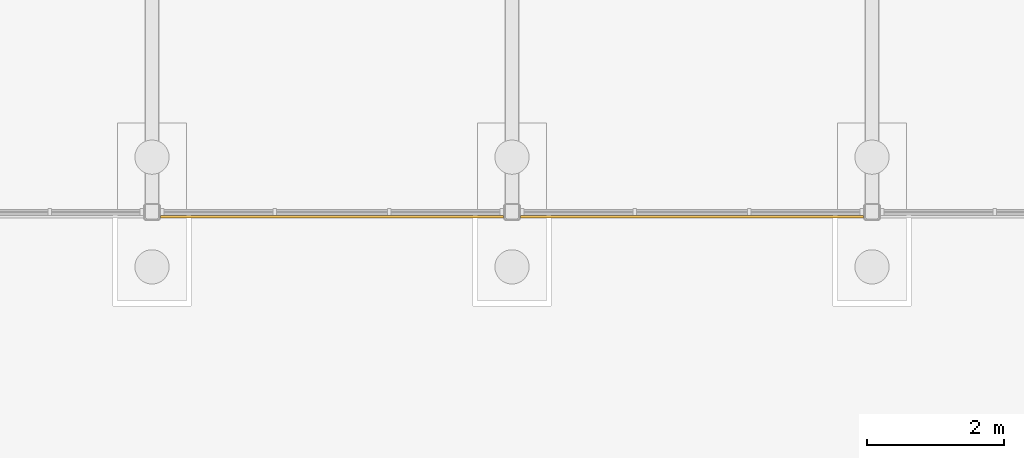
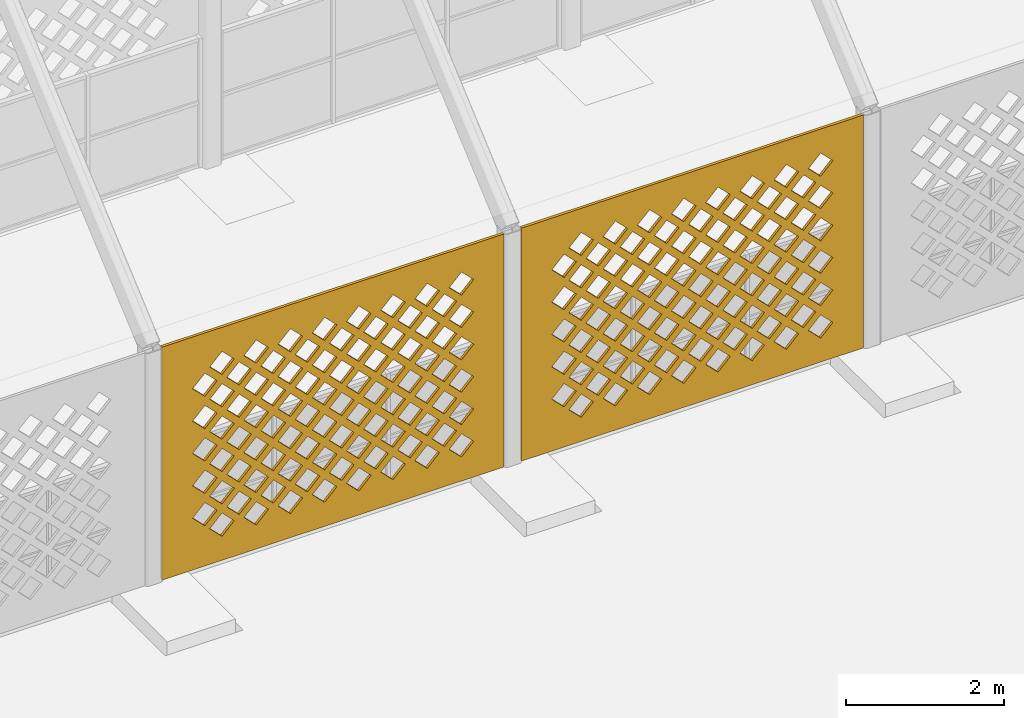
# One storey, part 60 of 79: 2 coverings.
"""IFC4 building model written with IfcOpenShell, lengths in metres."""

from ifc_helpers import new_model, si_unit, direction, frame, origin, place, context, subcontext, project, spatial, polyline, outline, extrude, material, layer, layer_set, type_object, element, save


model = new_model("IFC4")

# Units and contexts
model_context = context("Model", 3, precision=1e-05, world=origin(), true_north=direction((0.0, 1.0)))
body_context = subcontext(model_context, "Body", "Model", "MODEL_VIEW")
ifc_project = project(units=[si_unit("LENGTHUNIT", "METRE"), si_unit("AREAUNIT", "SQUARE_METRE"), si_unit("VOLUMEUNIT", "CUBIC_METRE"), si_unit("PLANEANGLEUNIT", "RADIAN"), si_unit("MASSUNIT", "GRAM", prefix="KILO")], contexts=[model_context])

# Site, building, storey
site_placement = place(None, origin())
site = spatial("IfcSite", under=ifc_project, at=site_placement, CompositionType="ELEMENT")
building_placement = place(site_placement, origin())
building = spatial("IfcBuilding", under=site, at=building_placement, Name="Noorbagh Ring Tower", CompositionType="ELEMENT")
storey_placement = place(building_placement, origin())
storey = spatial("IfcBuildingStorey", under=building, at=storey_placement, Name="L00", CompositionType="ELEMENT", Elevation=0.0)

# Coverings
ifc_material = material(Name="Red sandstone jali", Category="masonry")
ifc_layer = layer(ifc_material, 0.0400390625)
ifc_layer_set = layer_set([ifc_layer], Name="Red sandstone jali")
covering_type = type_object("IfcCoveringType", Name="AR-JALI", PredefinedType="USERDEFINED", material=ifc_layer_set)
covering_1_placement = place(storey_placement, frame((-89.125, 1.110107421875, 0.0), z_axis=(0.0, -1.0, 0.0), x_axis=(1.0, 0.0, 0.0)))
element("IfcCovering", 1, at=covering_1_placement, inside=storey, type_object=covering_type, Name="Jali screen", ObjectType="SCREEN", PredefinedType="USERDEFINED", context=body_context, shape_type="SweptSolid", body=[
    extrude(outline(polyline([(0.0, 0.0), (5.0, 0.0), (5.0, 3.60009765625), (0.0, 3.60009765625), (0.0, 0.0)]), holes=[polyline([(0.695068359375, 0.550048828125), (0.875, 0.3701171875), (1.054931640625, 0.550048828125), (0.875, 0.72998046875), (0.695068359375, 0.550048828125)]), polyline([(1.195068359375, 0.550048828125), (1.375, 0.3701171875), (1.554931640625, 0.550048828125), (1.375, 0.72998046875), (1.195068359375, 0.550048828125)]), polyline([(1.695068359375, 0.550048828125), (1.875, 0.3701171875), (2.054931640625, 0.550048828125), (1.875, 0.72998046875), (1.695068359375, 0.550048828125)]), polyline([(2.195068359375, 0.550048828125), (2.375, 0.3701171875), (2.554931640625, 0.550048828125), (2.375, 0.72998046875), (2.195068359375, 0.550048828125)]), polyline([(2.695068359375, 0.550048828125), (2.875, 0.3701171875), (3.054931640625, 0.550048828125), (2.875, 0.72998046875), (2.695068359375, 0.550048828125)]), polyline([(3.195068359375, 0.550048828125), (3.375, 0.3701171875), (3.554931640625, 0.550048828125), (3.375, 0.72998046875), (3.195068359375, 0.550048828125)]), polyline([(3.695068359375, 0.550048828125), (3.875, 0.3701171875), (4.054931640625, 0.550048828125), (3.875, 0.72998046875), (3.695068359375, 0.550048828125)]), polyline([(4.195068359375, 0.550048828125), (4.375, 0.3701171875), (4.554931640625, 0.550048828125), (4.375, 0.72998046875), (4.195068359375, 0.550048828125)]), polyline([(0.445068359375, 0.800048828125), (0.625, 0.6201171875), (0.804931640625, 0.800048828125), (0.625, 0.97998046875), (0.445068359375, 0.800048828125)]), polyline([(0.945068359375, 0.800048828125), (1.125, 0.6201171875), (1.304931640625, 0.800048828125), (1.125, 0.97998046875), (0.945068359375, 0.800048828125)]), polyline([(1.445068359375, 0.800048828125), (1.625, 0.6201171875), (1.804931640625, 0.800048828125), (1.625, 0.97998046875), (1.445068359375, 0.800048828125)]), polyline([(1.945068359375, 0.800048828125), (2.125, 0.6201171875), (2.304931640625, 0.800048828125), (2.125, 0.97998046875), (1.945068359375, 0.800048828125)]), polyline([(2.445068359375, 0.800048828125), (2.625, 0.6201171875), (2.804931640625, 0.800048828125), (2.625, 0.97998046875), (2.445068359375, 0.800048828125)]), polyline([(2.945068359375, 0.800048828125), (3.125, 0.6201171875), (3.304931640625, 0.800048828125), (3.125, 0.97998046875), (2.945068359375, 0.800048828125)]), polyline([(3.445068359375, 0.800048828125), (3.625, 0.6201171875), (3.804931640625, 0.800048828125), (3.625, 0.97998046875), (3.445068359375, 0.800048828125)]), polyline([(3.945068359375, 0.800048828125), (4.125, 0.6201171875), (4.304931640625, 0.800048828125), (4.125, 0.97998046875), (3.945068359375, 0.800048828125)]), polyline([(0.695068359375, 1.050048828125), (0.875, 0.8701171875), (1.054931640625, 1.050048828125), (0.875, 1.22998046875), (0.695068359375, 1.050048828125)]), polyline([(1.195068359375, 1.050048828125), (1.375, 0.8701171875), (1.554931640625, 1.050048828125), (1.375, 1.22998046875), (1.195068359375, 1.050048828125)]), polyline([(1.695068359375, 1.050048828125), (1.875, 0.8701171875), (2.054931640625, 1.050048828125), (1.875, 1.22998046875), (1.695068359375, 1.050048828125)]), polyline([(2.195068359375, 1.050048828125), (2.375, 0.8701171875), (2.554931640625, 1.050048828125), (2.375, 1.22998046875), (2.195068359375, 1.050048828125)]), polyline([(2.695068359375, 1.050048828125), (2.875, 0.8701171875), (3.054931640625, 1.050048828125), (2.875, 1.22998046875), (2.695068359375, 1.050048828125)]), polyline([(3.195068359375, 1.050048828125), (3.375, 0.8701171875), (3.554931640625, 1.050048828125), (3.375, 1.22998046875), (3.195068359375, 1.050048828125)]), polyline([(3.695068359375, 1.050048828125), (3.875, 0.8701171875), (4.054931640625, 1.050048828125), (3.875, 1.22998046875), (3.695068359375, 1.050048828125)]), polyline([(4.195068359375, 1.050048828125), (4.375, 0.8701171875), (4.554931640625, 1.050048828125), (4.375, 1.22998046875), (4.195068359375, 1.050048828125)]), polyline([(0.445068359375, 1.300048828125), (0.625, 1.1201171875), (0.804931640625, 1.300048828125), (0.625, 1.47998046875), (0.445068359375, 1.300048828125)]), polyline([(0.945068359375, 1.300048828125), (1.125, 1.1201171875), (1.304931640625, 1.300048828125), (1.125, 1.47998046875), (0.945068359375, 1.300048828125)]), polyline([(1.445068359375, 1.300048828125), (1.625, 1.1201171875), (1.804931640625, 1.300048828125), (1.625, 1.47998046875), (1.445068359375, 1.300048828125)]), polyline([(1.945068359375, 1.300048828125), (2.125, 1.1201171875), (2.304931640625, 1.300048828125), (2.125, 1.47998046875), (1.945068359375, 1.300048828125)]), polyline([(2.445068359375, 1.300048828125), (2.625, 1.1201171875), (2.804931640625, 1.300048828125), (2.625, 1.47998046875), (2.445068359375, 1.300048828125)]), polyline([(2.945068359375, 1.300048828125), (3.125, 1.1201171875), (3.304931640625, 1.300048828125), (3.125, 1.47998046875), (2.945068359375, 1.300048828125)]), polyline([(3.445068359375, 1.300048828125), (3.625, 1.1201171875), (3.804931640625, 1.300048828125), (3.625, 1.47998046875), (3.445068359375, 1.300048828125)]), polyline([(3.945068359375, 1.300048828125), (4.125, 1.1201171875), (4.304931640625, 1.300048828125), (4.125, 1.47998046875), (3.945068359375, 1.300048828125)]), polyline([(0.695068359375, 1.550048828125), (0.875, 1.3701171875), (1.054931640625, 1.550048828125), (0.875, 1.72998046875), (0.695068359375, 1.550048828125)]), polyline([(1.195068359375, 1.550048828125), (1.375, 1.3701171875), (1.554931640625, 1.550048828125), (1.375, 1.72998046875), (1.195068359375, 1.550048828125)]), polyline([(1.695068359375, 1.550048828125), (1.875, 1.3701171875), (2.054931640625, 1.550048828125), (1.875, 1.72998046875), (1.695068359375, 1.550048828125)]), polyline([(2.195068359375, 1.550048828125), (2.375, 1.3701171875), (2.554931640625, 1.550048828125), (2.375, 1.72998046875), (2.195068359375, 1.550048828125)]), polyline([(2.695068359375, 1.550048828125), (2.875, 1.3701171875), (3.054931640625, 1.550048828125), (2.875, 1.72998046875), (2.695068359375, 1.550048828125)]), polyline([(3.195068359375, 1.550048828125), (3.375, 1.3701171875), (3.554931640625, 1.550048828125), (3.375, 1.72998046875), (3.195068359375, 1.550048828125)]), polyline([(3.695068359375, 1.550048828125), (3.875, 1.3701171875), (4.054931640625, 1.550048828125), (3.875, 1.72998046875), (3.695068359375, 1.550048828125)]), polyline([(4.195068359375, 1.550048828125), (4.375, 1.3701171875), (4.554931640625, 1.550048828125), (4.375, 1.72998046875), (4.195068359375, 1.550048828125)]), polyline([(0.445068359375, 1.800048828125), (0.625, 1.6201171875), (0.804931640625, 1.800048828125), (0.625, 1.97998046875), (0.445068359375, 1.800048828125)]), polyline([(0.945068359375, 1.800048828125), (1.125, 1.6201171875), (1.304931640625, 1.800048828125), (1.125, 1.97998046875), (0.945068359375, 1.800048828125)]), polyline([(1.445068359375, 1.800048828125), (1.625, 1.6201171875), (1.804931640625, 1.800048828125), (1.625, 1.97998046875), (1.445068359375, 1.800048828125)]), polyline([(1.945068359375, 1.800048828125), (2.125, 1.6201171875), (2.304931640625, 1.800048828125), (2.125, 1.97998046875), (1.945068359375, 1.800048828125)]), polyline([(2.445068359375, 1.800048828125), (2.625, 1.6201171875), (2.804931640625, 1.800048828125), (2.625, 1.97998046875), (2.445068359375, 1.800048828125)]), polyline([(2.945068359375, 1.800048828125), (3.125, 1.6201171875), (3.304931640625, 1.800048828125), (3.125, 1.97998046875), (2.945068359375, 1.800048828125)]), polyline([(3.445068359375, 1.800048828125), (3.625, 1.6201171875), (3.804931640625, 1.800048828125), (3.625, 1.97998046875), (3.445068359375, 1.800048828125)]), polyline([(3.945068359375, 1.800048828125), (4.125, 1.6201171875), (4.304931640625, 1.800048828125), (4.125, 1.97998046875), (3.945068359375, 1.800048828125)]), polyline([(0.695068359375, 2.050048828125), (0.875, 1.8701171875), (1.054931640625, 2.050048828125), (0.875, 2.22998046875), (0.695068359375, 2.050048828125)]), polyline([(1.195068359375, 2.050048828125), (1.375, 1.8701171875), (1.554931640625, 2.050048828125), (1.375, 2.22998046875), (1.195068359375, 2.050048828125)]), polyline([(1.695068359375, 2.050048828125), (1.875, 1.8701171875), (2.054931640625, 2.050048828125), (1.875, 2.22998046875), (1.695068359375, 2.050048828125)]), polyline([(2.195068359375, 2.050048828125), (2.375, 1.8701171875), (2.554931640625, 2.050048828125), (2.375, 2.22998046875), (2.195068359375, 2.050048828125)]), polyline([(2.695068359375, 2.050048828125), (2.875, 1.8701171875), (3.054931640625, 2.050048828125), (2.875, 2.22998046875), (2.695068359375, 2.050048828125)]), polyline([(3.195068359375, 2.050048828125), (3.375, 1.8701171875), (3.554931640625, 2.050048828125), (3.375, 2.22998046875), (3.195068359375, 2.050048828125)]), polyline([(3.695068359375, 2.050048828125), (3.875, 1.8701171875), (4.054931640625, 2.050048828125), (3.875, 2.22998046875), (3.695068359375, 2.050048828125)]), polyline([(4.195068359375, 2.050048828125), (4.375, 1.8701171875), (4.554931640625, 2.050048828125), (4.375, 2.22998046875), (4.195068359375, 2.050048828125)]), polyline([(0.445068359375, 2.300048828125), (0.625, 2.1201171875), (0.804931640625, 2.300048828125), (0.625, 2.47998046875), (0.445068359375, 2.300048828125)]), polyline([(0.945068359375, 2.300048828125), (1.125, 2.1201171875), (1.304931640625, 2.300048828125), (1.125, 2.47998046875), (0.945068359375, 2.300048828125)]), polyline([(1.445068359375, 2.300048828125), (1.625, 2.1201171875), (1.804931640625, 2.300048828125), (1.625, 2.47998046875), (1.445068359375, 2.300048828125)]), polyline([(1.945068359375, 2.300048828125), (2.125, 2.1201171875), (2.304931640625, 2.300048828125), (2.125, 2.47998046875), (1.945068359375, 2.300048828125)]), polyline([(2.445068359375, 2.300048828125), (2.625, 2.1201171875), (2.804931640625, 2.300048828125), (2.625, 2.47998046875), (2.445068359375, 2.300048828125)]), polyline([(2.945068359375, 2.300048828125), (3.125, 2.1201171875), (3.304931640625, 2.300048828125), (3.125, 2.47998046875), (2.945068359375, 2.300048828125)]), polyline([(3.445068359375, 2.300048828125), (3.625, 2.1201171875), (3.804931640625, 2.300048828125), (3.625, 2.47998046875), (3.445068359375, 2.300048828125)]), polyline([(3.945068359375, 2.300048828125), (4.125, 2.1201171875), (4.304931640625, 2.300048828125), (4.125, 2.47998046875), (3.945068359375, 2.300048828125)]), polyline([(0.695068359375, 2.550048828125), (0.875, 2.3701171875), (1.054931640625, 2.550048828125), (0.875, 2.72998046875), (0.695068359375, 2.550048828125)]), polyline([(1.195068359375, 2.550048828125), (1.375, 2.3701171875), (1.554931640625, 2.550048828125), (1.375, 2.72998046875), (1.195068359375, 2.550048828125)]), polyline([(1.695068359375, 2.550048828125), (1.875, 2.3701171875), (2.054931640625, 2.550048828125), (1.875, 2.72998046875), (1.695068359375, 2.550048828125)]), polyline([(2.195068359375, 2.550048828125), (2.375, 2.3701171875), (2.554931640625, 2.550048828125), (2.375, 2.72998046875), (2.195068359375, 2.550048828125)]), polyline([(2.695068359375, 2.550048828125), (2.875, 2.3701171875), (3.054931640625, 2.550048828125), (2.875, 2.72998046875), (2.695068359375, 2.550048828125)]), polyline([(3.195068359375, 2.550048828125), (3.375, 2.3701171875), (3.554931640625, 2.550048828125), (3.375, 2.72998046875), (3.195068359375, 2.550048828125)]), polyline([(3.695068359375, 2.550048828125), (3.875, 2.3701171875), (4.054931640625, 2.550048828125), (3.875, 2.72998046875), (3.695068359375, 2.550048828125)]), polyline([(4.195068359375, 2.550048828125), (4.375, 2.3701171875), (4.554931640625, 2.550048828125), (4.375, 2.72998046875), (4.195068359375, 2.550048828125)]), polyline([(0.445068359375, 2.800048828125), (0.625, 2.6201171875), (0.804931640625, 2.800048828125), (0.625, 2.97998046875), (0.445068359375, 2.800048828125)]), polyline([(0.945068359375, 2.800048828125), (1.125, 2.6201171875), (1.304931640625, 2.800048828125), (1.125, 2.97998046875), (0.945068359375, 2.800048828125)]), polyline([(1.445068359375, 2.800048828125), (1.625, 2.6201171875), (1.804931640625, 2.800048828125), (1.625, 2.97998046875), (1.445068359375, 2.800048828125)]), polyline([(1.945068359375, 2.800048828125), (2.125, 2.6201171875), (2.304931640625, 2.800048828125), (2.125, 2.97998046875), (1.945068359375, 2.800048828125)]), polyline([(2.445068359375, 2.800048828125), (2.625, 2.6201171875), (2.804931640625, 2.800048828125), (2.625, 2.97998046875), (2.445068359375, 2.800048828125)]), polyline([(2.945068359375, 2.800048828125), (3.125, 2.6201171875), (3.304931640625, 2.800048828125), (3.125, 2.97998046875), (2.945068359375, 2.800048828125)]), polyline([(3.445068359375, 2.800048828125), (3.625, 2.6201171875), (3.804931640625, 2.800048828125), (3.625, 2.97998046875), (3.445068359375, 2.800048828125)]), polyline([(3.945068359375, 2.800048828125), (4.125, 2.6201171875), (4.304931640625, 2.800048828125), (4.125, 2.97998046875), (3.945068359375, 2.800048828125)]), polyline([(0.695068359375, 3.050048828125), (0.875, 2.8701171875), (1.054931640625, 3.050048828125), (0.875, 3.22998046875), (0.695068359375, 3.050048828125)]), polyline([(1.195068359375, 3.050048828125), (1.375, 2.8701171875), (1.554931640625, 3.050048828125), (1.375, 3.22998046875), (1.195068359375, 3.050048828125)]), polyline([(1.695068359375, 3.050048828125), (1.875, 2.8701171875), (2.054931640625, 3.050048828125), (1.875, 3.22998046875), (1.695068359375, 3.050048828125)]), polyline([(2.195068359375, 3.050048828125), (2.375, 2.8701171875), (2.554931640625, 3.050048828125), (2.375, 3.22998046875), (2.195068359375, 3.050048828125)]), polyline([(2.695068359375, 3.050048828125), (2.875, 2.8701171875), (3.054931640625, 3.050048828125), (2.875, 3.22998046875), (2.695068359375, 3.050048828125)]), polyline([(3.195068359375, 3.050048828125), (3.375, 2.8701171875), (3.554931640625, 3.050048828125), (3.375, 3.22998046875), (3.195068359375, 3.050048828125)]), polyline([(3.695068359375, 3.050048828125), (3.875, 2.8701171875), (4.054931640625, 3.050048828125), (3.875, 3.22998046875), (3.695068359375, 3.050048828125)]), polyline([(4.195068359375, 3.050048828125), (4.375, 2.8701171875), (4.554931640625, 3.050048828125), (4.375, 3.22998046875), (4.195068359375, 3.050048828125)])]), origin(), (0.0, 0.0, -1.0), 0.0400390625),
])
covering_2_placement = place(storey_placement, frame((-83.875, 1.110107421875, 0.0), z_axis=(0.0, -1.0, 0.0), x_axis=(1.0, 0.0, 0.0)))
element("IfcCovering", 2, at=covering_2_placement, inside=storey, type_object=covering_type, Name="Jali screen", ObjectType="SCREEN", PredefinedType="USERDEFINED", context=body_context, shape_type="SweptSolid", body=[
    extrude(outline(polyline([(0.0, 0.0), (5.0, 0.0), (5.0, 3.60009765625), (0.0, 3.60009765625), (0.0, 0.0)]), holes=[polyline([(0.695068359375, 0.550048828125), (0.875, 0.3701171875), (1.054931640625, 0.550048828125), (0.875, 0.72998046875), (0.695068359375, 0.550048828125)]), polyline([(1.195068359375, 0.550048828125), (1.375, 0.3701171875), (1.554931640625, 0.550048828125), (1.375, 0.72998046875), (1.195068359375, 0.550048828125)]), polyline([(1.695068359375, 0.550048828125), (1.875, 0.3701171875), (2.054931640625, 0.550048828125), (1.875, 0.72998046875), (1.695068359375, 0.550048828125)]), polyline([(2.195068359375, 0.550048828125), (2.375, 0.3701171875), (2.554931640625, 0.550048828125), (2.375, 0.72998046875), (2.195068359375, 0.550048828125)]), polyline([(2.695068359375, 0.550048828125), (2.875, 0.3701171875), (3.054931640625, 0.550048828125), (2.875, 0.72998046875), (2.695068359375, 0.550048828125)]), polyline([(3.195068359375, 0.550048828125), (3.375, 0.3701171875), (3.554931640625, 0.550048828125), (3.375, 0.72998046875), (3.195068359375, 0.550048828125)]), polyline([(3.695068359375, 0.550048828125), (3.875, 0.3701171875), (4.054931640625, 0.550048828125), (3.875, 0.72998046875), (3.695068359375, 0.550048828125)]), polyline([(4.195068359375, 0.550048828125), (4.375, 0.3701171875), (4.554931640625, 0.550048828125), (4.375, 0.72998046875), (4.195068359375, 0.550048828125)]), polyline([(0.445068359375, 0.800048828125), (0.625, 0.6201171875), (0.804931640625, 0.800048828125), (0.625, 0.97998046875), (0.445068359375, 0.800048828125)]), polyline([(0.945068359375, 0.800048828125), (1.125, 0.6201171875), (1.304931640625, 0.800048828125), (1.125, 0.97998046875), (0.945068359375, 0.800048828125)]), polyline([(1.445068359375, 0.800048828125), (1.625, 0.6201171875), (1.804931640625, 0.800048828125), (1.625, 0.97998046875), (1.445068359375, 0.800048828125)]), polyline([(1.945068359375, 0.800048828125), (2.125, 0.6201171875), (2.304931640625, 0.800048828125), (2.125, 0.97998046875), (1.945068359375, 0.800048828125)]), polyline([(2.445068359375, 0.800048828125), (2.625, 0.6201171875), (2.804931640625, 0.800048828125), (2.625, 0.97998046875), (2.445068359375, 0.800048828125)]), polyline([(2.945068359375, 0.800048828125), (3.125, 0.6201171875), (3.304931640625, 0.800048828125), (3.125, 0.97998046875), (2.945068359375, 0.800048828125)]), polyline([(3.445068359375, 0.800048828125), (3.625, 0.6201171875), (3.804931640625, 0.800048828125), (3.625, 0.97998046875), (3.445068359375, 0.800048828125)]), polyline([(3.945068359375, 0.800048828125), (4.125, 0.6201171875), (4.304931640625, 0.800048828125), (4.125, 0.97998046875), (3.945068359375, 0.800048828125)]), polyline([(0.695068359375, 1.050048828125), (0.875, 0.8701171875), (1.054931640625, 1.050048828125), (0.875, 1.22998046875), (0.695068359375, 1.050048828125)]), polyline([(1.195068359375, 1.050048828125), (1.375, 0.8701171875), (1.554931640625, 1.050048828125), (1.375, 1.22998046875), (1.195068359375, 1.050048828125)]), polyline([(1.695068359375, 1.050048828125), (1.875, 0.8701171875), (2.054931640625, 1.050048828125), (1.875, 1.22998046875), (1.695068359375, 1.050048828125)]), polyline([(2.195068359375, 1.050048828125), (2.375, 0.8701171875), (2.554931640625, 1.050048828125), (2.375, 1.22998046875), (2.195068359375, 1.050048828125)]), polyline([(2.695068359375, 1.050048828125), (2.875, 0.8701171875), (3.054931640625, 1.050048828125), (2.875, 1.22998046875), (2.695068359375, 1.050048828125)]), polyline([(3.195068359375, 1.050048828125), (3.375, 0.8701171875), (3.554931640625, 1.050048828125), (3.375, 1.22998046875), (3.195068359375, 1.050048828125)]), polyline([(3.695068359375, 1.050048828125), (3.875, 0.8701171875), (4.054931640625, 1.050048828125), (3.875, 1.22998046875), (3.695068359375, 1.050048828125)]), polyline([(4.195068359375, 1.050048828125), (4.375, 0.8701171875), (4.554931640625, 1.050048828125), (4.375, 1.22998046875), (4.195068359375, 1.050048828125)]), polyline([(0.445068359375, 1.300048828125), (0.625, 1.1201171875), (0.804931640625, 1.300048828125), (0.625, 1.47998046875), (0.445068359375, 1.300048828125)]), polyline([(0.945068359375, 1.300048828125), (1.125, 1.1201171875), (1.304931640625, 1.300048828125), (1.125, 1.47998046875), (0.945068359375, 1.300048828125)]), polyline([(1.445068359375, 1.300048828125), (1.625, 1.1201171875), (1.804931640625, 1.300048828125), (1.625, 1.47998046875), (1.445068359375, 1.300048828125)]), polyline([(1.945068359375, 1.300048828125), (2.125, 1.1201171875), (2.304931640625, 1.300048828125), (2.125, 1.47998046875), (1.945068359375, 1.300048828125)]), polyline([(2.445068359375, 1.300048828125), (2.625, 1.1201171875), (2.804931640625, 1.300048828125), (2.625, 1.47998046875), (2.445068359375, 1.300048828125)]), polyline([(2.945068359375, 1.300048828125), (3.125, 1.1201171875), (3.304931640625, 1.300048828125), (3.125, 1.47998046875), (2.945068359375, 1.300048828125)]), polyline([(3.445068359375, 1.300048828125), (3.625, 1.1201171875), (3.804931640625, 1.300048828125), (3.625, 1.47998046875), (3.445068359375, 1.300048828125)]), polyline([(3.945068359375, 1.300048828125), (4.125, 1.1201171875), (4.304931640625, 1.300048828125), (4.125, 1.47998046875), (3.945068359375, 1.300048828125)]), polyline([(0.695068359375, 1.550048828125), (0.875, 1.3701171875), (1.054931640625, 1.550048828125), (0.875, 1.72998046875), (0.695068359375, 1.550048828125)]), polyline([(1.195068359375, 1.550048828125), (1.375, 1.3701171875), (1.554931640625, 1.550048828125), (1.375, 1.72998046875), (1.195068359375, 1.550048828125)]), polyline([(1.695068359375, 1.550048828125), (1.875, 1.3701171875), (2.054931640625, 1.550048828125), (1.875, 1.72998046875), (1.695068359375, 1.550048828125)]), polyline([(2.195068359375, 1.550048828125), (2.375, 1.3701171875), (2.554931640625, 1.550048828125), (2.375, 1.72998046875), (2.195068359375, 1.550048828125)]), polyline([(2.695068359375, 1.550048828125), (2.875, 1.3701171875), (3.054931640625, 1.550048828125), (2.875, 1.72998046875), (2.695068359375, 1.550048828125)]), polyline([(3.195068359375, 1.550048828125), (3.375, 1.3701171875), (3.554931640625, 1.550048828125), (3.375, 1.72998046875), (3.195068359375, 1.550048828125)]), polyline([(3.695068359375, 1.550048828125), (3.875, 1.3701171875), (4.054931640625, 1.550048828125), (3.875, 1.72998046875), (3.695068359375, 1.550048828125)]), polyline([(4.195068359375, 1.550048828125), (4.375, 1.3701171875), (4.554931640625, 1.550048828125), (4.375, 1.72998046875), (4.195068359375, 1.550048828125)]), polyline([(0.445068359375, 1.800048828125), (0.625, 1.6201171875), (0.804931640625, 1.800048828125), (0.625, 1.97998046875), (0.445068359375, 1.800048828125)]), polyline([(0.945068359375, 1.800048828125), (1.125, 1.6201171875), (1.304931640625, 1.800048828125), (1.125, 1.97998046875), (0.945068359375, 1.800048828125)]), polyline([(1.445068359375, 1.800048828125), (1.625, 1.6201171875), (1.804931640625, 1.800048828125), (1.625, 1.97998046875), (1.445068359375, 1.800048828125)]), polyline([(1.945068359375, 1.800048828125), (2.125, 1.6201171875), (2.304931640625, 1.800048828125), (2.125, 1.97998046875), (1.945068359375, 1.800048828125)]), polyline([(2.445068359375, 1.800048828125), (2.625, 1.6201171875), (2.804931640625, 1.800048828125), (2.625, 1.97998046875), (2.445068359375, 1.800048828125)]), polyline([(2.945068359375, 1.800048828125), (3.125, 1.6201171875), (3.304931640625, 1.800048828125), (3.125, 1.97998046875), (2.945068359375, 1.800048828125)]), polyline([(3.445068359375, 1.800048828125), (3.625, 1.6201171875), (3.804931640625, 1.800048828125), (3.625, 1.97998046875), (3.445068359375, 1.800048828125)]), polyline([(3.945068359375, 1.800048828125), (4.125, 1.6201171875), (4.304931640625, 1.800048828125), (4.125, 1.97998046875), (3.945068359375, 1.800048828125)]), polyline([(0.695068359375, 2.050048828125), (0.875, 1.8701171875), (1.054931640625, 2.050048828125), (0.875, 2.22998046875), (0.695068359375, 2.050048828125)]), polyline([(1.195068359375, 2.050048828125), (1.375, 1.8701171875), (1.554931640625, 2.050048828125), (1.375, 2.22998046875), (1.195068359375, 2.050048828125)]), polyline([(1.695068359375, 2.050048828125), (1.875, 1.8701171875), (2.054931640625, 2.050048828125), (1.875, 2.22998046875), (1.695068359375, 2.050048828125)]), polyline([(2.195068359375, 2.050048828125), (2.375, 1.8701171875), (2.554931640625, 2.050048828125), (2.375, 2.22998046875), (2.195068359375, 2.050048828125)]), polyline([(2.695068359375, 2.050048828125), (2.875, 1.8701171875), (3.054931640625, 2.050048828125), (2.875, 2.22998046875), (2.695068359375, 2.050048828125)]), polyline([(3.195068359375, 2.050048828125), (3.375, 1.8701171875), (3.554931640625, 2.050048828125), (3.375, 2.22998046875), (3.195068359375, 2.050048828125)]), polyline([(3.695068359375, 2.050048828125), (3.875, 1.8701171875), (4.054931640625, 2.050048828125), (3.875, 2.22998046875), (3.695068359375, 2.050048828125)]), polyline([(4.195068359375, 2.050048828125), (4.375, 1.8701171875), (4.554931640625, 2.050048828125), (4.375, 2.22998046875), (4.195068359375, 2.050048828125)]), polyline([(0.445068359375, 2.300048828125), (0.625, 2.1201171875), (0.804931640625, 2.300048828125), (0.625, 2.47998046875), (0.445068359375, 2.300048828125)]), polyline([(0.945068359375, 2.300048828125), (1.125, 2.1201171875), (1.304931640625, 2.300048828125), (1.125, 2.47998046875), (0.945068359375, 2.300048828125)]), polyline([(1.445068359375, 2.300048828125), (1.625, 2.1201171875), (1.804931640625, 2.300048828125), (1.625, 2.47998046875), (1.445068359375, 2.300048828125)]), polyline([(1.945068359375, 2.300048828125), (2.125, 2.1201171875), (2.304931640625, 2.300048828125), (2.125, 2.47998046875), (1.945068359375, 2.300048828125)]), polyline([(2.445068359375, 2.300048828125), (2.625, 2.1201171875), (2.804931640625, 2.300048828125), (2.625, 2.47998046875), (2.445068359375, 2.300048828125)]), polyline([(2.945068359375, 2.300048828125), (3.125, 2.1201171875), (3.304931640625, 2.300048828125), (3.125, 2.47998046875), (2.945068359375, 2.300048828125)]), polyline([(3.445068359375, 2.300048828125), (3.625, 2.1201171875), (3.804931640625, 2.300048828125), (3.625, 2.47998046875), (3.445068359375, 2.300048828125)]), polyline([(3.945068359375, 2.300048828125), (4.125, 2.1201171875), (4.304931640625, 2.300048828125), (4.125, 2.47998046875), (3.945068359375, 2.300048828125)]), polyline([(0.695068359375, 2.550048828125), (0.875, 2.3701171875), (1.054931640625, 2.550048828125), (0.875, 2.72998046875), (0.695068359375, 2.550048828125)]), polyline([(1.195068359375, 2.550048828125), (1.375, 2.3701171875), (1.554931640625, 2.550048828125), (1.375, 2.72998046875), (1.195068359375, 2.550048828125)]), polyline([(1.695068359375, 2.550048828125), (1.875, 2.3701171875), (2.054931640625, 2.550048828125), (1.875, 2.72998046875), (1.695068359375, 2.550048828125)]), polyline([(2.195068359375, 2.550048828125), (2.375, 2.3701171875), (2.554931640625, 2.550048828125), (2.375, 2.72998046875), (2.195068359375, 2.550048828125)]), polyline([(2.695068359375, 2.550048828125), (2.875, 2.3701171875), (3.054931640625, 2.550048828125), (2.875, 2.72998046875), (2.695068359375, 2.550048828125)]), polyline([(3.195068359375, 2.550048828125), (3.375, 2.3701171875), (3.554931640625, 2.550048828125), (3.375, 2.72998046875), (3.195068359375, 2.550048828125)]), polyline([(3.695068359375, 2.550048828125), (3.875, 2.3701171875), (4.054931640625, 2.550048828125), (3.875, 2.72998046875), (3.695068359375, 2.550048828125)]), polyline([(4.195068359375, 2.550048828125), (4.375, 2.3701171875), (4.554931640625, 2.550048828125), (4.375, 2.72998046875), (4.195068359375, 2.550048828125)]), polyline([(0.445068359375, 2.800048828125), (0.625, 2.6201171875), (0.804931640625, 2.800048828125), (0.625, 2.97998046875), (0.445068359375, 2.800048828125)]), polyline([(0.945068359375, 2.800048828125), (1.125, 2.6201171875), (1.304931640625, 2.800048828125), (1.125, 2.97998046875), (0.945068359375, 2.800048828125)]), polyline([(1.445068359375, 2.800048828125), (1.625, 2.6201171875), (1.804931640625, 2.800048828125), (1.625, 2.97998046875), (1.445068359375, 2.800048828125)]), polyline([(1.945068359375, 2.800048828125), (2.125, 2.6201171875), (2.304931640625, 2.800048828125), (2.125, 2.97998046875), (1.945068359375, 2.800048828125)]), polyline([(2.445068359375, 2.800048828125), (2.625, 2.6201171875), (2.804931640625, 2.800048828125), (2.625, 2.97998046875), (2.445068359375, 2.800048828125)]), polyline([(2.945068359375, 2.800048828125), (3.125, 2.6201171875), (3.304931640625, 2.800048828125), (3.125, 2.97998046875), (2.945068359375, 2.800048828125)]), polyline([(3.445068359375, 2.800048828125), (3.625, 2.6201171875), (3.804931640625, 2.800048828125), (3.625, 2.97998046875), (3.445068359375, 2.800048828125)]), polyline([(3.945068359375, 2.800048828125), (4.125, 2.6201171875), (4.304931640625, 2.800048828125), (4.125, 2.97998046875), (3.945068359375, 2.800048828125)]), polyline([(0.695068359375, 3.050048828125), (0.875, 2.8701171875), (1.054931640625, 3.050048828125), (0.875, 3.22998046875), (0.695068359375, 3.050048828125)]), polyline([(1.195068359375, 3.050048828125), (1.375, 2.8701171875), (1.554931640625, 3.050048828125), (1.375, 3.22998046875), (1.195068359375, 3.050048828125)]), polyline([(1.695068359375, 3.050048828125), (1.875, 2.8701171875), (2.054931640625, 3.050048828125), (1.875, 3.22998046875), (1.695068359375, 3.050048828125)]), polyline([(2.195068359375, 3.050048828125), (2.375, 2.8701171875), (2.554931640625, 3.050048828125), (2.375, 3.22998046875), (2.195068359375, 3.050048828125)]), polyline([(2.695068359375, 3.050048828125), (2.875, 2.8701171875), (3.054931640625, 3.050048828125), (2.875, 3.22998046875), (2.695068359375, 3.050048828125)]), polyline([(3.195068359375, 3.050048828125), (3.375, 2.8701171875), (3.554931640625, 3.050048828125), (3.375, 3.22998046875), (3.195068359375, 3.050048828125)]), polyline([(3.695068359375, 3.050048828125), (3.875, 2.8701171875), (4.054931640625, 3.050048828125), (3.875, 3.22998046875), (3.695068359375, 3.050048828125)]), polyline([(4.195068359375, 3.050048828125), (4.375, 2.8701171875), (4.554931640625, 3.050048828125), (4.375, 3.22998046875), (4.195068359375, 3.050048828125)])]), origin(), (0.0, 0.0, -1.0), 0.0400390625),
])

save(model, "model.ifc")
